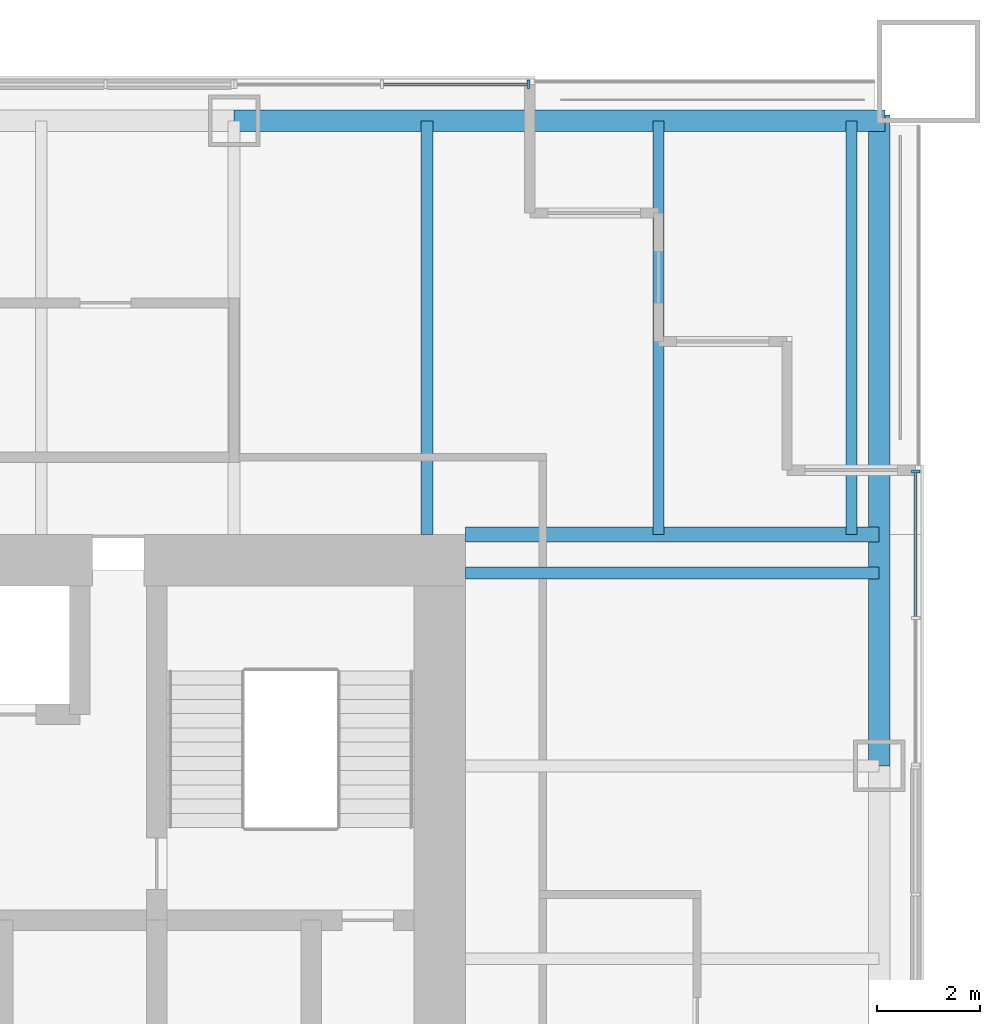
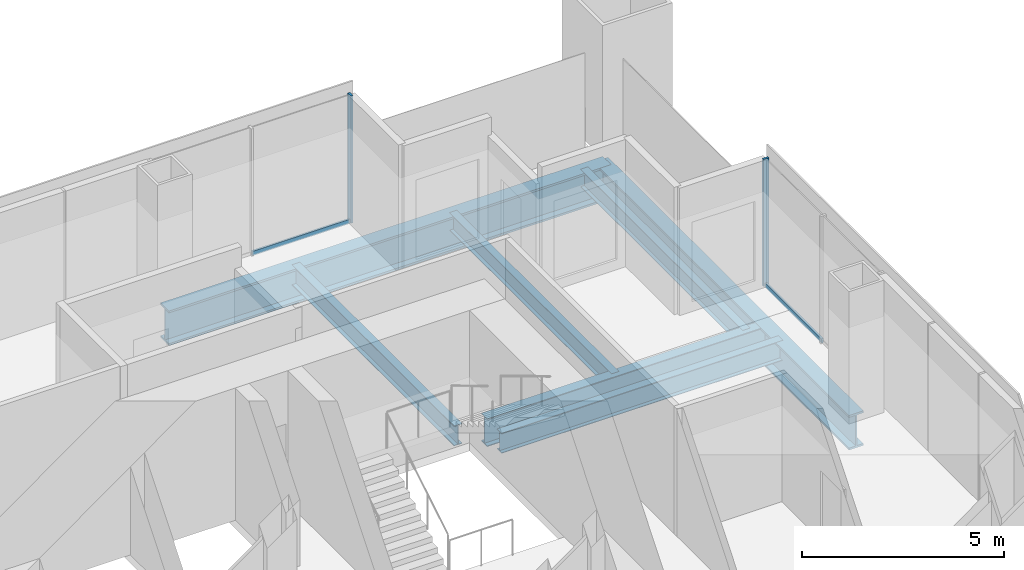
# One storey, part 7 of 14: 7 beams, 4 members, 2 elements without a shape of their own.
"""IFC4 building model written with IfcOpenShell, lengths in metres."""

from ifc_helpers import new_model, si_unit, direction, frame, origin, origin_2d, place, context, subcontext, project, spatial, rectangle, i_section, extrude, material, material_profile, profile_set, type_object, element, aggregate, save


model = new_model("IFC4")

# Units and contexts
model_context = context("Model", 3, precision=1e-05, world=origin(), true_north=direction((0.0, 1.0)))
body_context = subcontext(model_context, "Body", "Model", "MODEL_VIEW")
ifc_project = project(units=[si_unit("LENGTHUNIT", "METRE"), si_unit("AREAUNIT", "SQUARE_METRE"), si_unit("VOLUMEUNIT", "CUBIC_METRE"), si_unit("PLANEANGLEUNIT", "RADIAN"), si_unit("MASSUNIT", "GRAM", prefix="KILO")], contexts=[model_context])

# Site, building, storey
site_placement = place(None, origin())
site = spatial("IfcSite", under=ifc_project, at=site_placement, CompositionType="ELEMENT")
building_placement = place(site_placement, origin())
building = spatial("IfcBuilding", under=site, at=building_placement, Name="Tarangal Relay Tower", CompositionType="ELEMENT")
storey_placement = place(building_placement, frame((0.0, 0.0, 279.89990234375)))
storey = spatial("IfcBuildingStorey", under=building, at=storey_placement, Name="L61", CompositionType="ELEMENT", Elevation=279.89990234375)

# Beams
ifc_material_1 = material(Name="Steel ASTM A992", Category="steel")
ifc_material_profile_1 = material_profile(ifc_material_1, i_section(OverallWidth=0.209228515625, OverallDepth=0.533447265625, WebThickness=0.01025390625, FlangeThickness=0.015625, at=origin_2d()), Name="W21X62")
ifc_profile_set_1 = profile_set([ifc_material_profile_1], Name="Steel ASTM A992")
beam_type_1 = type_object("IfcBeamType", Name="Corner beam W21X62", PredefinedType="JOIST", material=ifc_profile_set_1)
for number, where, z_axis, x_axis, name in (
    (1, (15.75, 12.0, -0.41650390625), (0.0, 1.0, 0.0), (-1.0, 0.0, 0.0), "Corner beam CB12 N L61"),
    (2, (19.5, 12.0, -0.41650390625), (0.0, 1.0, 0.0), (-1.0, 0.0, 0.0), "Corner beam CB12 N L61"),
):
    element("IfcBeam", number, at=place(storey_placement, frame(where, z_axis=z_axis, x_axis=x_axis)), inside=storey, type_object=beam_type_1, Name=name, PredefinedType="JOIST", context=body_context, shape_type="SweptSolid", body=[
        extrude(i_section(OverallWidth=0.209228515625, OverallDepth=0.533447265625, WebThickness=0.01025390625, FlangeThickness=0.015625, at=origin_2d()), origin(), (0.0, 0.0, 1.0), 8.0400390625),
    ])
ifc_material_profile_2 = material_profile(ifc_material_1, i_section(OverallWidth=0.2919921875, OverallDepth=0.8408203125, WebThickness=0.0146484375, FlangeThickness=0.021728515625, at=origin_2d()), Name="W33X130")
ifc_profile_set_2 = profile_set([ifc_material_profile_2], Name="Steel ASTM A992")
beam_type_2 = type_object("IfcBeamType", Name="Corner girder W33X130", PredefinedType="BEAM", material=ifc_profile_set_2)
beam_placement = place(storey_placement, frame((12.0, 12.0, -0.5703125), z_axis=(1.0, 0.0, 0.0), x_axis=(0.0, 1.0, 0.0)))
element("IfcBeam", 3, at=beam_placement, inside=storey, type_object=beam_type_2, Name="Corner girder CG5 N L61", PredefinedType="BEAM", context=body_context, shape_type="SweptSolid", body=[
    extrude(i_section(OverallWidth=0.2919921875, OverallDepth=0.8408203125, WebThickness=0.0146484375, FlangeThickness=0.021728515625, at=origin_2d()), origin(), (0.0, 0.0, 1.0), 8.0400390625),
])
ifc_material_profile_3 = material_profile(ifc_material_1, i_section(OverallWidth=0.41162109375, OverallDepth=1.049072265625, WebThickness=0.033935546875, FlangeThickness=0.059814453125, at=origin_2d()), Name="W40X431")
ifc_profile_set_3 = profile_set([ifc_material_profile_3], Name="Steel ASTM A992")
beam_type_3 = type_object("IfcBeamType", Name="Edge girder W40X431", PredefinedType="SPANDREL", material=ifc_profile_set_3)
for number, where, z_axis, x_axis, name in (
    (4, (7.5, 20.0400390625, -0.67431640625), (1.0, 0.0, 0.0), (0.0, 1.0, 0.0), "Edge girder EG1 N L61"),
    (5, (20.0400390625, 20.14990234375, -0.67431640625), (0.0, -1.0, 0.0), (1.0, 0.0, 0.0), "Edge girder EG1 E L61"),
):
    element("IfcBeam", number, at=place(storey_placement, frame(where, z_axis=z_axis, x_axis=x_axis)), inside=storey, type_object=beam_type_3, Name=name, PredefinedType="SPANDREL", context=body_context, shape_type="SweptSolid", body=[
        extrude(i_section(OverallWidth=0.41162109375, OverallDepth=1.049072265625, WebThickness=0.033935546875, FlangeThickness=0.059814453125, at=origin_2d()), origin(), (0.0, 0.0, 1.0), 12.64990234375),
    ])
ifc_material_profile_4 = material_profile(ifc_material_1, i_section(OverallWidth=0.228271484375, OverallDepth=0.607177734375, WebThickness=0.01123046875, FlangeThickness=0.017333984375, at=origin_2d()), Name="W24X76")
ifc_profile_set_4 = profile_set([ifc_material_profile_4], Name="Steel ASTM A992")
beam_type_4 = type_object("IfcBeamType", Name="Floor beam W24X76", PredefinedType="BEAM", material=ifc_profile_set_4)
for number, where, z_axis, x_axis, name in (
    (6, (11.25, 12.0, -0.453369140625), (0.0, 1.0, 0.0), (-1.0, 0.0, 0.0), "Floor beam RB5 N L61"),
    (7, (12.0, 11.25, -0.453369140625), (1.0, 0.0, 0.0), (0.0, 1.0, 0.0), "Floor beam RB5 E L61"),
):
    element("IfcBeam", number, at=place(storey_placement, frame(where, z_axis=z_axis, x_axis=x_axis)), inside=storey, type_object=beam_type_4, Name=name, PredefinedType="BEAM", context=body_context, shape_type="SweptSolid", body=[
        extrude(i_section(OverallWidth=0.228271484375, OverallDepth=0.607177734375, WebThickness=0.01123046875, FlangeThickness=0.017333984375, at=origin_2d()), origin(), (0.0, 0.0, 1.0), 8.0400390625),
    ])

# Curtain wall, member
ifc_material_2 = material(Name="Unitised curtain wall, dark glass and black aluminium", Category="aluminium")
curtain_wall_type = type_object("IfcCurtainWallType", Name="Curtain wall CW-B", PredefinedType="USERDEFINED", material=ifc_material_2)
curtain_wall_1_placement = place(storey_placement, origin())
curtain_wall_1 = element("IfcCurtainWall", 8, at=curtain_wall_1_placement, inside=storey, type_object=curtain_wall_type, Name="Curtain wall CW-B N facade L61", ObjectType="UNITISED CURTAIN WALL", PredefinedType="USERDEFINED")
ifc_material_3 = material(Name="Black anodised aluminium mullion", Category="aluminium")
ifc_material_profile_5 = material_profile(ifc_material_3, rectangle(XDim=0.159912109375, YDim=0.06005859375, at=origin_2d()), Name="CW-BM 60X160")
ifc_profile_set_5 = profile_set([ifc_material_profile_5], Name="Black anodised aluminium mullion")
member_type_1 = type_object("IfcMemberType", Name="Mullion CW-B 60 x 160", PredefinedType="MULLION", material=ifc_profile_set_5)
member_1_placement = place(storey_placement, frame((13.219970703125, 20.75, 0.0), z_axis=(0.0, 0.0, 1.0), x_axis=(0.0, 1.0, 0.0)))
member_1 = element("IfcMember", 9, at=member_1_placement, type_object=member_type_1, Name="CW-B mullion 3", PredefinedType="MULLION", context=body_context, shape_type="SweptSolid", body=[
    extrude(rectangle(XDim=0.159912109375, YDim=0.06005859375, at=origin_2d()), origin(), (0.0, 0.0, 1.0), 3.85009765625),
])

curtain_wall_2_placement = place(storey_placement, origin())
curtain_wall_2 = element("IfcCurtainWall", 10, at=curtain_wall_2_placement, inside=storey, type_object=curtain_wall_type, Name="Curtain wall CW-B E facade L61", ObjectType="UNITISED CURTAIN WALL", PredefinedType="USERDEFINED")
member_2_placement = place(storey_placement, frame((20.75, 13.219970703125, 0.0), z_axis=(0.0, 0.0, 1.0), x_axis=(1.0, 0.0, 0.0)))
member_2 = element("IfcMember", 11, at=member_2_placement, type_object=member_type_1, Name="CW-B mullion 1", PredefinedType="MULLION", context=body_context, shape_type="SweptSolid", body=[
    extrude(rectangle(XDim=0.159912109375, YDim=0.06005859375, at=origin_2d()), origin(), (0.0, 0.0, 1.0), 3.85009765625),
])

# Member
ifc_material_4 = material(Name="Black anodised aluminium transom", Category="aluminium")
ifc_material_profile_6 = material_profile(ifc_material_4, rectangle(XDim=0.06005859375, YDim=0.1298828125, at=origin_2d()), Name="CW-BT 60X130")
ifc_profile_set_6 = profile_set([ifc_material_profile_6], Name="Black anodised aluminium transom")
member_type_2 = type_object("IfcMemberType", Name="Transom CW-B 60 x 130", PredefinedType="USERDEFINED", material=ifc_profile_set_6)
member_3_placement = place(storey_placement, frame((10.405029296875, 20.75, 0.030029296875), z_axis=(1.0, 0.0, 0.0), x_axis=(0.0, 1.0, 0.0)))
member_3 = element("IfcMember", 12, at=member_3_placement, type_object=member_type_2, Name="CW-B transom 2.1", ObjectType="TRANSOM", PredefinedType="USERDEFINED", context=body_context, shape_type="SweptSolid", body=[
    extrude(rectangle(XDim=0.06005859375, YDim=0.1298828125, at=origin_2d()), origin(), (0.0, 0.0, 1.0), 2.784912109375),
])

aggregate(curtain_wall_1, [member_1, member_3])

member_4_placement = place(storey_placement, frame((20.75, 13.18994140625, 0.030029296875), z_axis=(0.0, -1.0, 0.0), x_axis=(1.0, 0.0, 0.0)))
member_4 = element("IfcMember", 13, at=member_4_placement, type_object=member_type_2, Name="CW-B transom 1.1", ObjectType="TRANSOM", PredefinedType="USERDEFINED", context=body_context, shape_type="SweptSolid", body=[
    extrude(rectangle(XDim=0.06005859375, YDim=0.1298828125, at=origin_2d()), origin(), (0.0, 0.0, 1.0), 2.784912109375),
])

aggregate(curtain_wall_2, [member_2, member_4])

save(model, "model.ifc")
